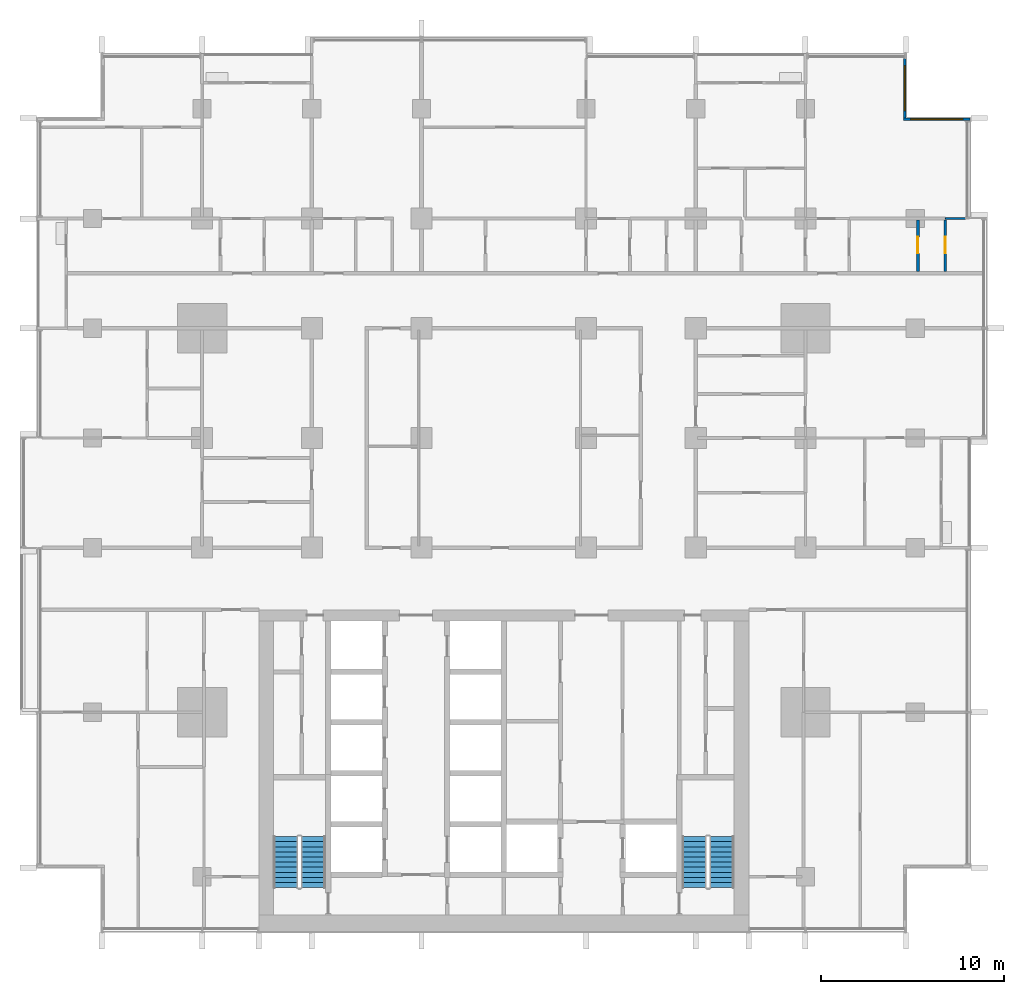
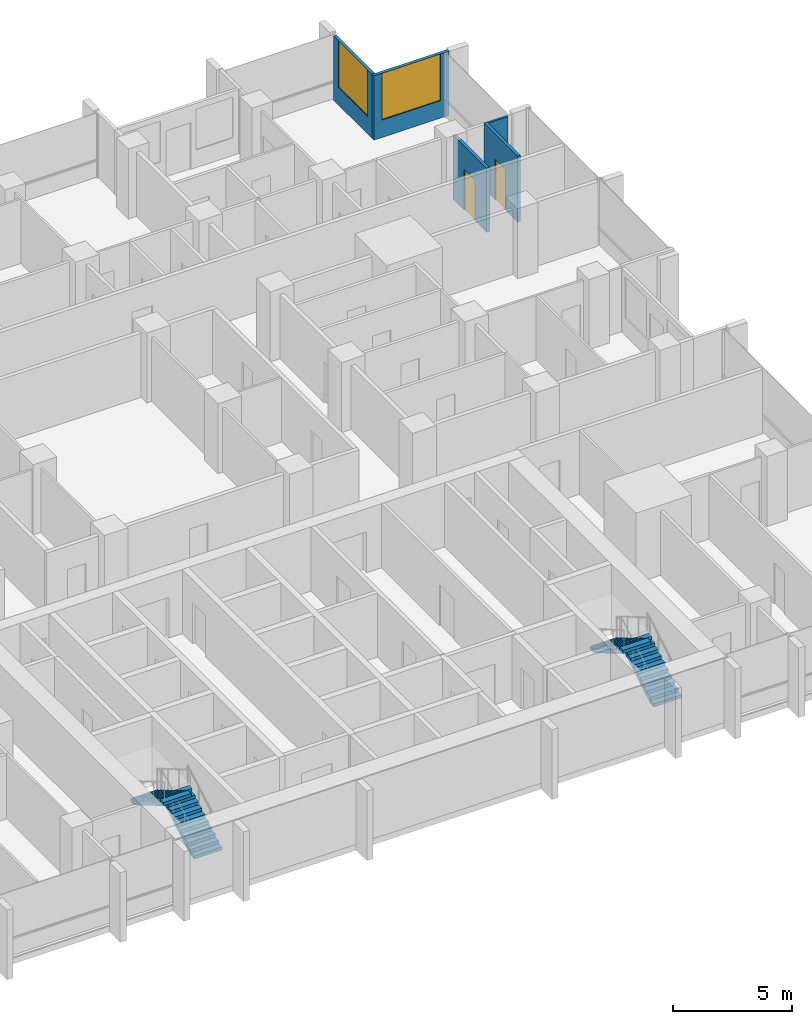
# One storey, part 13 of 18: 5 walls, 4 stair flights, 2 doors, 2 windows, 4 openings, 2 elements without a shape of their own.
"""IFC4 building model written with IfcOpenShell, lengths in metres."""

import ifcopenshell
import ifcopenshell.guid

model = None  # the IFC model being written
_history = None  # IfcOwnerHistory: only IFC2X3 demands one
_inside = {}  # id of a spatial element -> (the spatial element, [elements in it])
_under = {}  # id of a project, library or spatial element -> (it, [spatial elements below it])
_declared = {}  # id of a project -> (the project, [libraries it declares])
_typed = {}  # id of a type object -> (the type object, [elements of that type])
_made_of = {}  # id of a material, layer set ... -> (it, [elements and type objects made of it])


def new_model(schema):
    """Start an empty IFC model of exactly this schema.

    Asked for "IFC4X3", IfcOpenShell would pick the latest addendum, in which some entities
    have other attributes; the version numbers below select the first issue.
    IFC2X3 requires an IfcOwnerHistory on every rooted entity: one is made here for all.
    """
    global model, _history
    if schema == "IFC4X3":
        model = ifcopenshell.file(schema_version=(4, 3, 0, 0))
    else:
        model = ifcopenshell.file(schema=schema)
    _inside.clear()
    _under.clear()
    _declared.clear()
    _typed.clear()
    _made_of.clear()
    _history = None
    if model.schema == "IFC2X3":
        org = make("IfcOrganization", Name="unknown")
        user = make(
            "IfcPersonAndOrganization",
            ThePerson=make("IfcPerson", FamilyName="unknown"),
            TheOrganization=org,
        )
        app = make(
            "IfcApplication",
            ApplicationDeveloper=org,
            Version="unknown",
            ApplicationFullName="unknown",
            ApplicationIdentifier="unknown",
        )
        _history = make(
            "IfcOwnerHistory",
            OwningUser=user,
            OwningApplication=app,
            ChangeAction="ADDED",
            CreationDate=0,
        )
    return model


def make(cls, **values):
    """One entity of the class cls with the attributes given. An attribute that is None is left unset."""
    return model.create_entity(
        cls, **{name: value for name, value in values.items() if value is not None}
    )


def rooted(cls, **values):
    """An entity with a GlobalId (a new one), such as an element, a storey or a relation."""
    return make(cls, GlobalId=ifcopenshell.guid.new(), OwnerHistory=_history, **values)


def si_unit(unit_type, name, prefix=None):
    """IfcSIUnit, for example si_unit("LENGTHUNIT", "METRE", prefix="MILLI")."""
    return make("IfcSIUnit", UnitType=unit_type, Prefix=prefix, Name=name)


def assignment(units):
    """IfcUnitAssignment: the units of a project."""
    return None if units is None else make("IfcUnitAssignment", Units=units)


def point(xyz):
    """IfcCartesianPoint."""
    return None if xyz is None else make("IfcCartesianPoint", Coordinates=xyz)


def direction(xyz):
    """IfcDirection."""
    return None if xyz is None else make("IfcDirection", DirectionRatios=xyz)


def frame(location, z_axis=None, x_axis=None):
    """IfcAxis2Placement3D, a coordinate frame: its origin and axes. An axis left out is left unset."""
    return make(
        "IfcAxis2Placement3D",
        Location=point(location),
        Axis=direction(z_axis),
        RefDirection=direction(x_axis),
    )


def frame_2d(location, x_axis=None):
    """IfcAxis2Placement2D, a coordinate frame in the plane: its origin and x axis."""
    return make(
        "IfcAxis2Placement2D", Location=point(location), RefDirection=direction(x_axis)
    )


def origin():
    """The frame at (0, 0, 0) with its axes left unset."""
    return frame((0.0, 0.0, 0.0))


def place(relative_to, where):
    """IfcLocalPlacement: puts the frame where relative to a parent placement (None: the world)."""
    return make(
        "IfcLocalPlacement", PlacementRelTo=relative_to, RelativePlacement=where
    )


def context(
    kind, dimensions, precision=None, world=None, true_north=None, identifier=None
):
    """IfcGeometricRepresentationContext, for example the 3D "Model" context."""
    return make(
        "IfcGeometricRepresentationContext",
        ContextIdentifier=identifier,
        ContextType=kind,
        CoordinateSpaceDimension=dimensions,
        Precision=precision,
        WorldCoordinateSystem=world,
        TrueNorth=true_north,
    )


def subcontext(parent, identifier, kind, view, scale=None):
    """IfcGeometricRepresentationSubContext, for example "Body" below "Model"."""
    return make(
        "IfcGeometricRepresentationSubContext",
        ContextIdentifier=identifier,
        ContextType=kind,
        ParentContext=parent,
        TargetScale=scale,
        TargetView=view,
    )


def project(units=None, contexts=None):
    """IfcProject with its units and contexts."""
    return rooted(
        "IfcProject",
        Name="project",
        RepresentationContexts=contexts,
        UnitsInContext=assignment(units),
    )


def spatial(cls, under=None, at=None, **own):
    """A site, building, storey or space (cls), placed at a placement, below another one or the project."""
    s = rooted(cls, ObjectPlacement=at, **own)
    if under is not None:
        _under.setdefault(under.id(), (under, []))[1].append(s)
    return s


def polyline(points):
    """IfcPolyline through the points."""
    return make("IfcPolyline", Points=[point(p) for p in points])


def profile(cls, at=None, kind="AREA", **sizes):
    """A parametric profile (cls). Its sizes go by their IFC names, for example OverallWidth=200.0."""
    return make(cls, ProfileType=kind, Position=at, **sizes)


def rectangle(**sizes):
    """IfcRectangleProfileDef."""
    return profile("IfcRectangleProfileDef", **sizes)


def outline(outer, holes=None, kind="AREA"):
    """IfcArbitraryClosedProfileDef: a profile drawn as a closed curve; with holes, ...WithVoids."""
    if holes is None:
        return make("IfcArbitraryClosedProfileDef", ProfileType=kind, OuterCurve=outer)
    return make(
        "IfcArbitraryProfileDefWithVoids",
        ProfileType=kind,
        OuterCurve=outer,
        InnerCurves=holes,
    )


def extrude(swept, where, along, depth):
    """IfcExtrudedAreaSolid: the profile swept, set in the frame where, extruded along a direction by depth."""
    return make(
        "IfcExtrudedAreaSolid",
        SweptArea=swept,
        Position=where,
        ExtrudedDirection=direction(along),
        Depth=depth,
    )


def shape(context_of_items, identifier, shape_type, items):
    """IfcShapeRepresentation: the items that make up one representation, for example the "Body"."""
    return make(
        "IfcShapeRepresentation",
        ContextOfItems=context_of_items,
        RepresentationIdentifier=identifier,
        RepresentationType=shape_type,
        Items=items,
    )


def material(Name=None, Category=None):
    """IfcMaterial."""
    return make("IfcMaterial", Name=Name, Category=Category)


def layer(
    of_material, thickness, ventilated=None, Name=None, Category=None, Priority=None
):
    """IfcMaterialLayer: one layer of a wall or slab, of a material (None: an air gap)."""
    return make(
        "IfcMaterialLayer",
        Material=of_material,
        LayerThickness=thickness,
        IsVentilated=ventilated,
        Name=Name,
        Category=Category,
        Priority=Priority,
    )


def layer_set(layers, Name=None):
    """IfcMaterialLayerSet."""
    return make("IfcMaterialLayerSet", MaterialLayers=layers, LayerSetName=Name)


def made_of(thing, what):
    """Note that an element or type object is made of a material, layer set ...; save() writes the relation."""
    if what is not None:
        _made_of.setdefault(what.id(), (what, []))[1].append(thing)
    return thing


def type_object(cls, material=None, **own):
    """A type object (cls), such as IfcWallType, which elements share."""
    return made_of(rooted(cls, **own), material)


def element(
    cls,
    number,
    at=None,
    inside=None,
    cuts=None,
    type_object=None,
    material=None,
    context=None,
    identifier="Body",
    shape_type=None,
    held_by="IfcProductDefinitionShape",
    body=None,
    shapes=None,
    **own,
):
    """One element of the class cls, such as IfcWall. Its Tag is "e" and its number.

    at: its placement. inside: the storey or other place that contains it. cuts: it is an
    opening in that element (IfcRelVoidsElement). A single representation is given by context,
    identifier, shape_type and body (its items); several are given by shapes. held_by: the class
    of the entity that holds the representations. save() writes the other relations.
    """
    e = rooted(cls, Tag="e%d" % number, ObjectPlacement=at, **own)
    if body is not None:
        shapes = [shape(context, identifier, shape_type, body)]
    if shapes is not None:
        e.Representation = make(held_by, Representations=shapes)
    if inside is not None:
        _inside.setdefault(inside.id(), (inside, []))[1].append(e)
    if cuts is not None:
        rooted(
            "IfcRelVoidsElement", RelatingBuildingElement=cuts, RelatedOpeningElement=e
        )
    if type_object is not None:
        _typed.setdefault(type_object.id(), (type_object, []))[1].append(e)
    return made_of(e, material)


def fill(opening, filler):
    """IfcRelFillsElement: the door or window that sits in an opening."""
    return rooted(
        "IfcRelFillsElement",
        RelatingOpeningElement=opening,
        RelatedBuildingElement=filler,
    )


def aggregate(whole, parts):
    """IfcRelAggregates: a whole, such as a stair, and the parts it consists of."""
    return rooted("IfcRelAggregates", RelatingObject=whole, RelatedObjects=parts)


def save(model, path):
    """Write the relations noted so far, then the file.

    IfcRelAggregates (storeys below a building ...), IfcRelContainedInSpatialStructure (elements
    in a storey), IfcRelDefinesByType, IfcRelAssociatesMaterial and IfcRelDeclares: one each for
    every whole, place, type object, material and project.
    """
    for whole, parts in _under.values():
        aggregate(whole, parts)
    for where, things in _inside.values():
        rooted(
            "IfcRelContainedInSpatialStructure",
            RelatedElements=things,
            RelatingStructure=where,
        )
    for kind, things in _typed.values():
        rooted("IfcRelDefinesByType", RelatedObjects=things, RelatingType=kind)
    for what, things in _made_of.values():
        rooted("IfcRelAssociatesMaterial", RelatedObjects=things, RelatingMaterial=what)
    for by, libraries in _declared.values():
        rooted("IfcRelDeclares", RelatingContext=by, RelatedDefinitions=libraries)
    model.write(path)


model = new_model("IFC4")

# Units and contexts
model_context = context("Model", 3, precision=1e-05, world=origin(), true_north=direction((0.0, 1.0)))
body_context = subcontext(model_context, "Body", "Model", "MODEL_VIEW")
ifc_project = project(units=[si_unit("LENGTHUNIT", "METRE"), si_unit("AREAUNIT", "SQUARE_METRE"), si_unit("VOLUMEUNIT", "CUBIC_METRE"), si_unit("PLANEANGLEUNIT", "RADIAN"), si_unit("MASSUNIT", "GRAM", prefix="KILO")], contexts=[model_context])

# Site, building, storey
site_placement = place(None, origin())
site = spatial("IfcSite", under=ifc_project, at=site_placement, CompositionType="ELEMENT")
building_placement = place(site_placement, origin())
building = spatial("IfcBuilding", under=site, at=building_placement, Name="Finial Court Residences", CompositionType="ELEMENT")
storey_placement = place(building_placement, frame((0.0, 0.0, 106.300048828125)))
storey = spatial("IfcBuildingStorey", under=building, at=storey_placement, Name="L26", CompositionType="ELEMENT", Elevation=106.300048828125)

# Wall
ifc_material_1 = material(Name="Gypsum board")
ifc_layer_1 = layer(ifc_material_1, 0.012451171875)
ifc_material_2 = material(Name="Mineral wool in light-gauge frame")
ifc_layer_2 = layer(ifc_material_2, 0.074951171875)
ifc_layer_3 = layer(ifc_material_1, 0.012451171875)
ifc_layer_set_1 = layer_set([ifc_layer_1, ifc_layer_2, ifc_layer_3], Name="Gypsum board partition 100")
wall_type_1 = type_object("IfcWallType", Name="Gypsum board partition 100", PredefinedType="PARTITIONING", material=ifc_layer_set_1)
wall_1_placement = place(storey_placement, frame((24.14990234375, 13.5, 0.0), z_axis=(0.0, 0.0, 1.0), x_axis=(1.0, 0.0, 0.0)))
element("IfcWall", 1, at=wall_1_placement, inside=storey, type_object=wall_type_1, Name="Partition L26-032", PredefinedType="PARTITIONING", context=body_context, shape_type="SweptSolid", body=[
    extrude(rectangle(XDim=1.10009765625, YDim=0.10009765625, at=frame_2d((0.550048828125, 0.0))), origin(), (0.0, 0.0, 1.0), 3.300048828125),
])

# Wall, opening, door
ifc_material_3 = material(Name="Moisture-resistant gypsum board")
ifc_layer_4 = layer(ifc_material_3, 0.012451171875)
ifc_layer_5 = layer(ifc_material_2, 0.125)
ifc_layer_6 = layer(ifc_material_3, 0.012451171875)
ifc_layer_set_2 = layer_set([ifc_layer_4, ifc_layer_5, ifc_layer_6], Name="Gypsum board wet-area partition 150")
wall_type_2 = type_object("IfcWallType", Name="Gypsum board wet-area partition 150", PredefinedType="PARTITIONING", material=ifc_layer_set_2)
wall_2_placement = place(storey_placement, frame((22.64990234375, 10.60009765625, 0.0), z_axis=(0.0, 0.0, 1.0), x_axis=(0.0, 1.0, 0.0)))
wall_2 = element("IfcWall", 2, at=wall_2_placement, inside=storey, type_object=wall_type_2, Name="Partition L26-092", PredefinedType="PARTITIONING", context=body_context, shape_type="SweptSolid", body=[
    extrude(rectangle(XDim=2.824951171875, YDim=0.14990234375, at=frame_2d((1.41259765625, 0.0))), origin(), (0.0, 0.0, 1.0), 3.300048828125),
])
opening_1_placement = place(wall_2_placement, frame((1.0, 0.0, 0.0)))
opening_1 = element("IfcOpeningElement", 3, at=opening_1_placement, cuts=wall_2, Name="Opening L26-D059", PredefinedType="OPENING", context=body_context, shape_type="SweptSolid", body=[
    extrude(rectangle(XDim=0.89990234375, YDim=2.10009765625, at=frame_2d((0.449951171875, 1.050048828125))), frame((0.0, 0.0849609375, 0.0), z_axis=(0.0, -1.0, 0.0), x_axis=(1.0, 0.0, 0.0)), (0.0, 0.0, 1.0), 0.169921875),
])
ifc_material_4 = material(Name="Timber door leaf in timber frame", Category="wood")
door_type = type_object("IfcDoorType", Name="Door set 900 x 2100", OperationType="SINGLE_SWING_LEFT", PredefinedType="DOOR", material=ifc_material_4)
door_1_placement = place(opening_1_placement, origin())
door_1 = element("IfcDoor", 4, at=door_1_placement, inside=storey, type_object=door_type, Name="Door L26-D059", OperationType="SINGLE_SWING_RIGHT", OverallHeight=2.10009765625, OverallWidth=0.89990234375, PredefinedType="DOOR", context=body_context, shape_type="SweptSolid", body=[
    extrude(rectangle(XDim=0.89990234375, YDim=2.10009765625, at=frame_2d((0.449951171875, 1.050048828125))), frame((0.0, 0.02490234375, 0.0), z_axis=(0.0, -1.0, 0.0), x_axis=(1.0, 0.0, 0.0)), (0.0, 0.0, 1.0), 0.050048828125),
])
fill(opening_1, door_1)

wall_3_placement = place(storey_placement, frame((24.14990234375, 10.60009765625, 0.0), z_axis=(0.0, 0.0, 1.0), x_axis=(0.0, 1.0, 0.0)))
wall_3 = element("IfcWall", 5, at=wall_3_placement, inside=storey, type_object=wall_type_2, Name="Partition L26-093", PredefinedType="PARTITIONING", context=body_context, shape_type="SweptSolid", body=[
    extrude(rectangle(XDim=2.824951171875, YDim=0.14990234375, at=frame_2d((1.41259765625, 0.0))), origin(), (0.0, 0.0, 1.0), 3.39990234375),
])
opening_2_placement = place(wall_3_placement, frame((1.0, 0.0, 0.0)))
opening_2 = element("IfcOpeningElement", 6, at=opening_2_placement, cuts=wall_3, Name="Opening L26-D060", PredefinedType="OPENING", context=body_context, shape_type="SweptSolid", body=[
    extrude(rectangle(XDim=0.89990234375, YDim=2.10009765625, at=frame_2d((0.449951171875, 1.050048828125))), frame((0.0, 0.0849609375, 0.0), z_axis=(0.0, -1.0, 0.0), x_axis=(1.0, 0.0, 0.0)), (0.0, 0.0, 1.0), 0.169921875),
])
door_2_placement = place(opening_2_placement, origin())
door_2 = element("IfcDoor", 7, at=door_2_placement, inside=storey, type_object=door_type, Name="Door L26-D060", OperationType="SINGLE_SWING_LEFT", OverallHeight=2.10009765625, OverallWidth=0.89990234375, PredefinedType="DOOR", context=body_context, shape_type="SweptSolid", body=[
    extrude(rectangle(XDim=0.89990234375, YDim=2.10009765625, at=frame_2d((0.449951171875, 1.050048828125))), frame((0.0, 0.02490234375, 0.0), z_axis=(0.0, -1.0, 0.0), x_axis=(1.0, 0.0, 0.0)), (0.0, 0.0, 1.0), 0.050048828125),
])
fill(opening_2, door_2)

# Wall, opening, window
ifc_material_5 = material(Name="Natural limestone", Category="masonry")
ifc_layer_7 = layer(ifc_material_5, 0.14990234375)
ifc_layer_set_3 = layer_set([ifc_layer_7], Name="Limestone clad wall 150")
wall_type_3 = type_object("IfcWallType", Name="Limestone clad wall 150", PredefinedType="SOLIDWALL", material=ifc_layer_set_3)
wall_4_placement = place(storey_placement, frame((21.925048828125, 22.25, 0.0), z_axis=(0.0, 0.0, 1.0), x_axis=(0.0, -1.0, 0.0)))
wall_4 = element("IfcWall", 8, at=wall_4_placement, inside=storey, type_object=wall_type_3, Name="E-L26-NWE22", PredefinedType="SOLIDWALL", context=body_context, shape_type="SweptSolid", body=[
    extrude(rectangle(XDim=3.25, YDim=0.14990234375, at=frame_2d((1.625, 0.0))), origin(), (0.0, 0.0, 1.0), 3.300048828125),
])
opening_3_placement = place(wall_4_placement, frame((0.39990234375, 0.0, 0.89990234375)))
opening_3 = element("IfcOpeningElement", 9, at=opening_3_placement, cuts=wall_4, Name="Opening WE26-07", PredefinedType="OPENING", context=body_context, shape_type="SweptSolid", body=[
    extrude(rectangle(XDim=2.449951171875, YDim=2.39990234375, at=frame_2d((1.22509765625, 1.199951171875))), frame((0.0, 0.0849609375, 0.0), z_axis=(0.0, -1.0, 0.0), x_axis=(1.0, 0.0, 0.0)), (0.0, 0.0, 1.0), 0.169921875),
])
ifc_material_6 = material(Name="Clear low-e glass", Category="glass")
window_type_1 = type_object("IfcWindowType", Name="Corner window 2450 x 2400", PartitioningType="SINGLE_PANEL", PredefinedType="WINDOW", material=ifc_material_6)
window_1_placement = place(opening_3_placement, origin())
window_1 = element("IfcWindow", 10, at=window_1_placement, inside=storey, type_object=window_type_1, Name="E-L26-NWE22-W1", OverallHeight=2.39990234375, OverallWidth=2.449951171875, PartitioningType="SINGLE_PANEL", PredefinedType="WINDOW", context=body_context, shape_type="SweptSolid", body=[
    extrude(rectangle(XDim=2.449951171875, YDim=2.39990234375, at=frame_2d((1.22509765625, 1.199951171875))), frame((0.0, 0.030029296875, 0.0), z_axis=(0.0, -1.0, 0.0), x_axis=(1.0, 0.0, 0.0)), (0.0, 0.0, 1.0), 0.06005859375),
])
fill(opening_3, window_1)

wall_5_placement = place(storey_placement, frame((21.85009765625, 18.925048828125, 0.0), z_axis=(0.0, 0.0, 1.0), x_axis=(1.0, 0.0, 0.0)))
wall_5 = element("IfcWall", 11, at=wall_5_placement, inside=storey, type_object=wall_type_3, Name="E-L26-NWN23", PredefinedType="SOLIDWALL", context=body_context, shape_type="SweptSolid", body=[
    extrude(rectangle(XDim=3.64990234375, YDim=0.14990234375, at=frame_2d((1.824951171875, 0.0))), origin(), (0.0, 0.0, 1.0), 3.300048828125),
])
opening_4_placement = place(wall_5_placement, frame((0.39990234375, 0.0, 0.89990234375)))
opening_4 = element("IfcOpeningElement", 12, at=opening_4_placement, cuts=wall_5, Name="Opening WE26-08", PredefinedType="OPENING", context=body_context, shape_type="SweptSolid", body=[
    extrude(rectangle(XDim=2.85009765625, YDim=2.39990234375, at=frame_2d((1.425048828125, 1.199951171875))), frame((0.0, 0.0849609375, 0.0), z_axis=(0.0, -1.0, 0.0), x_axis=(1.0, 0.0, 0.0)), (0.0, 0.0, 1.0), 0.169921875),
])
window_type_2 = type_object("IfcWindowType", Name="Corner window 2850 x 2400", PartitioningType="SINGLE_PANEL", PredefinedType="WINDOW", material=ifc_material_6)
window_2_placement = place(opening_4_placement, origin())
window_2 = element("IfcWindow", 13, at=window_2_placement, inside=storey, type_object=window_type_2, Name="E-L26-NWN23-W1", OverallHeight=2.39990234375, OverallWidth=2.85009765625, PartitioningType="SINGLE_PANEL", PredefinedType="WINDOW", context=body_context, shape_type="SweptSolid", body=[
    extrude(rectangle(XDim=2.85009765625, YDim=2.39990234375, at=frame_2d((1.425048828125, 1.199951171875))), frame((0.0, 0.030029296875, 0.0), z_axis=(0.0, -1.0, 0.0), x_axis=(1.0, 0.0, 0.0)), (0.0, 0.0, 1.0), 0.06005859375),
])
fill(opening_4, window_2)

# Stair, stair flights
ifc_material_7 = material(Name="Concrete C50/60", Category="concrete")
stair_type = type_object("IfcStairType", Name="Exit stair 22 risers of 163.6 mm", PredefinedType="HALF_TURN_STAIR", material=ifc_material_7)
stair_1_placement = place(storey_placement, origin())
stair_1 = element("IfcStair", 14, at=stair_1_placement, inside=storey, type_object=stair_type, Name="L26 Exit stair ST-1", PredefinedType="HALF_TURN_STAIR")
stair_flight_type = type_object("IfcStairFlightType", Name="Exit stair flight", PredefinedType="STRAIGHT", material=ifc_material_7)
stair_flight_1_placement = place(storey_placement, frame((-10.425048828125, -23.10009765625, 0.0), z_axis=(0.0, 0.0, 1.0), x_axis=(0.0, 1.0, 0.0)))
stair_flight_1 = element("IfcStairFlight", 15, at=stair_flight_1_placement, type_object=stair_flight_type, Name="ST-1 flight 1", NumberOfRisers=11, NumberOfTreads=10, PredefinedType="STRAIGHT", RiserHeight=0.163636364, TreadLength=0.28, context=body_context, shape_type="SweptSolid", body=[
    extrude(outline(polyline([(0.0, 0.0), (0.0, 0.16357421875), (0.280029296875, 0.16357421875), (0.280029296875, 0.327392578125), (0.56005859375, 0.327392578125), (0.56005859375, 0.490966796875), (0.840087890625, 0.490966796875), (0.840087890625, 0.654541015625), (1.1201171875, 0.654541015625), (1.1201171875, 0.818115234375), (1.39990234375, 0.818115234375), (1.39990234375, 0.98193359375), (1.679931640625, 0.98193359375), (1.679931640625, 1.1455078125), (1.9599609375, 1.1455078125), (1.9599609375, 1.30908203125), (2.239990234375, 1.30908203125), (2.239990234375, 1.47265625), (2.52001953125, 1.47265625), (2.52001953125, 1.636474609375), (2.800048828125, 1.636474609375), (2.800048828125, 1.800048828125), (2.800048828125, 1.462646484375), (0.297119140625, 0.0), (0.0, 0.0)])), frame((0.0, 0.675048828125, 0.0), z_axis=(0.0, -1.0, 0.0), x_axis=(1.0, 0.0, 0.0)), (0.0, 0.0, 1.0), 1.35009765625),
])
stair_flight_2_placement = place(storey_placement, frame((-11.925048828125, -20.300048828125, 1.800048828125), z_axis=(0.0, 0.0, 1.0), x_axis=(0.0, -1.0, 0.0)))
stair_flight_2 = element("IfcStairFlight", 16, at=stair_flight_2_placement, type_object=stair_flight_type, Name="ST-1 flight 2", NumberOfRisers=11, NumberOfTreads=10, PredefinedType="STRAIGHT", RiserHeight=0.163636364, TreadLength=0.28, context=body_context, shape_type="SweptSolid", body=[
    extrude(outline(polyline([(0.0, 0.0), (0.0, 0.16357421875), (0.280029296875, 0.16357421875), (0.280029296875, 0.327392578125), (0.56005859375, 0.327392578125), (0.56005859375, 0.490966796875), (0.840087890625, 0.490966796875), (0.840087890625, 0.654541015625), (1.1201171875, 0.654541015625), (1.1201171875, 0.818115234375), (1.39990234375, 0.818115234375), (1.39990234375, 0.98193359375), (1.679931640625, 0.98193359375), (1.679931640625, 1.1455078125), (1.9599609375, 1.1455078125), (1.9599609375, 1.30908203125), (2.239990234375, 1.30908203125), (2.239990234375, 1.47265625), (2.52001953125, 1.47265625), (2.52001953125, 1.636474609375), (2.800048828125, 1.636474609375), (2.800048828125, 1.800048828125), (2.800048828125, 1.462646484375), (0.297119140625, 0.0), (0.0, 0.0)])), frame((0.0, 0.675048828125, 0.0), z_axis=(0.0, -1.0, 0.0), x_axis=(1.0, 0.0, 0.0)), (0.0, 0.0, 1.0), 1.35009765625),
])
aggregate(stair_1, [stair_flight_1, stair_flight_2])

stair_2_placement = place(storey_placement, origin())
stair_2 = element("IfcStair", 17, at=stair_2_placement, inside=storey, type_object=stair_type, Name="L26 Exit stair ST-2", PredefinedType="HALF_TURN_STAIR")
stair_flight_3_placement = place(storey_placement, frame((11.925048828125, -23.10009765625, 0.0), z_axis=(0.0, 0.0, 1.0), x_axis=(0.0, 1.0, 0.0)))
stair_flight_3 = element("IfcStairFlight", 18, at=stair_flight_3_placement, type_object=stair_flight_type, Name="ST-2 flight 1", NumberOfRisers=11, NumberOfTreads=10, PredefinedType="STRAIGHT", RiserHeight=0.163636364, TreadLength=0.28, context=body_context, shape_type="SweptSolid", body=[
    extrude(outline(polyline([(0.0, 0.0), (0.0, 0.16357421875), (0.280029296875, 0.16357421875), (0.280029296875, 0.327392578125), (0.56005859375, 0.327392578125), (0.56005859375, 0.490966796875), (0.840087890625, 0.490966796875), (0.840087890625, 0.654541015625), (1.1201171875, 0.654541015625), (1.1201171875, 0.818115234375), (1.39990234375, 0.818115234375), (1.39990234375, 0.98193359375), (1.679931640625, 0.98193359375), (1.679931640625, 1.1455078125), (1.9599609375, 1.1455078125), (1.9599609375, 1.30908203125), (2.239990234375, 1.30908203125), (2.239990234375, 1.47265625), (2.52001953125, 1.47265625), (2.52001953125, 1.636474609375), (2.800048828125, 1.636474609375), (2.800048828125, 1.800048828125), (2.800048828125, 1.462646484375), (0.297119140625, 0.0), (0.0, 0.0)])), frame((0.0, 0.675048828125, 0.0), z_axis=(0.0, -1.0, 0.0), x_axis=(1.0, 0.0, 0.0)), (0.0, 0.0, 1.0), 1.35009765625),
])
stair_flight_4_placement = place(storey_placement, frame((10.425048828125, -20.300048828125, 1.800048828125), z_axis=(0.0, 0.0, 1.0), x_axis=(0.0, -1.0, 0.0)))
stair_flight_4 = element("IfcStairFlight", 19, at=stair_flight_4_placement, type_object=stair_flight_type, Name="ST-2 flight 2", NumberOfRisers=11, NumberOfTreads=10, PredefinedType="STRAIGHT", RiserHeight=0.163636364, TreadLength=0.28, context=body_context, shape_type="SweptSolid", body=[
    extrude(outline(polyline([(0.0, 0.0), (0.0, 0.16357421875), (0.280029296875, 0.16357421875), (0.280029296875, 0.327392578125), (0.56005859375, 0.327392578125), (0.56005859375, 0.490966796875), (0.840087890625, 0.490966796875), (0.840087890625, 0.654541015625), (1.1201171875, 0.654541015625), (1.1201171875, 0.818115234375), (1.39990234375, 0.818115234375), (1.39990234375, 0.98193359375), (1.679931640625, 0.98193359375), (1.679931640625, 1.1455078125), (1.9599609375, 1.1455078125), (1.9599609375, 1.30908203125), (2.239990234375, 1.30908203125), (2.239990234375, 1.47265625), (2.52001953125, 1.47265625), (2.52001953125, 1.636474609375), (2.800048828125, 1.636474609375), (2.800048828125, 1.800048828125), (2.800048828125, 1.462646484375), (0.297119140625, 0.0), (0.0, 0.0)])), frame((0.0, 0.675048828125, 0.0), z_axis=(0.0, -1.0, 0.0), x_axis=(1.0, 0.0, 0.0)), (0.0, 0.0, 1.0), 1.35009765625),
])
aggregate(stair_2, [stair_flight_3, stair_flight_4])

save(model, "model.ifc")
